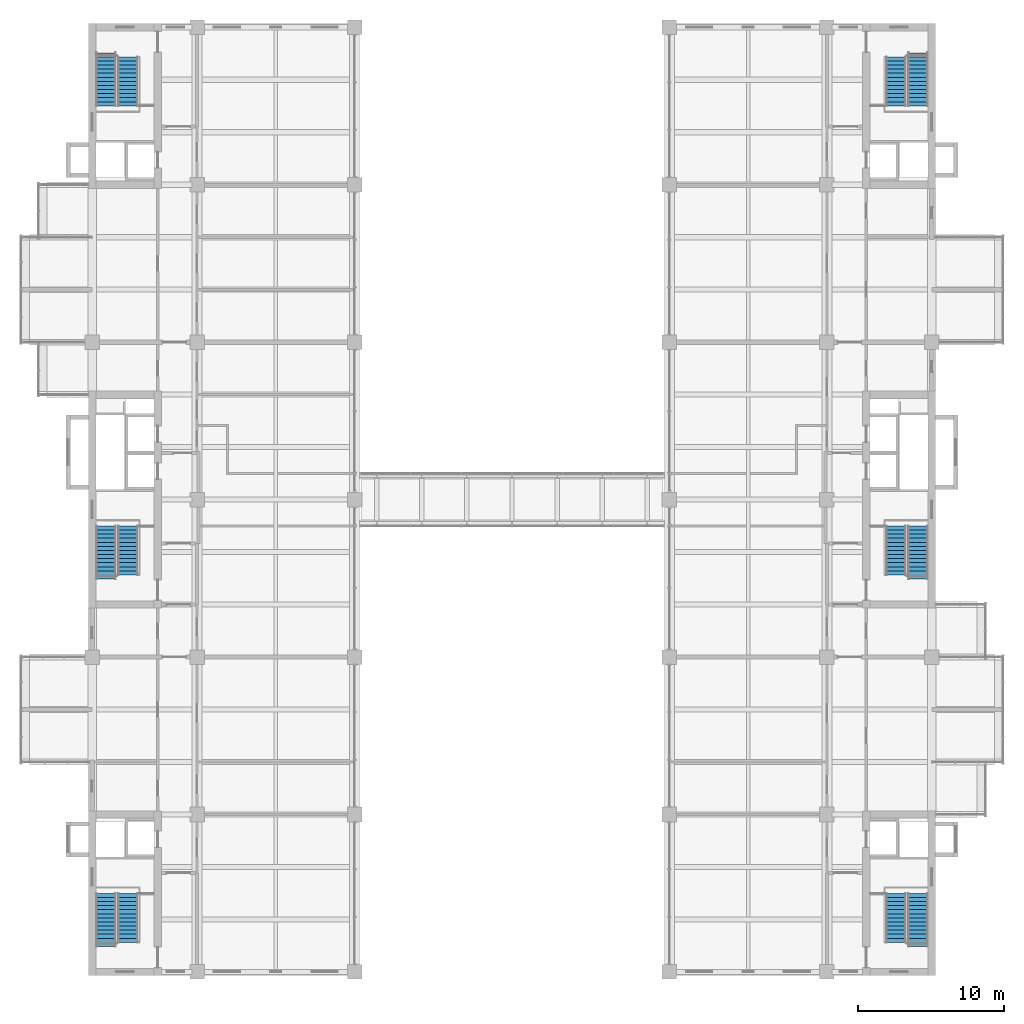
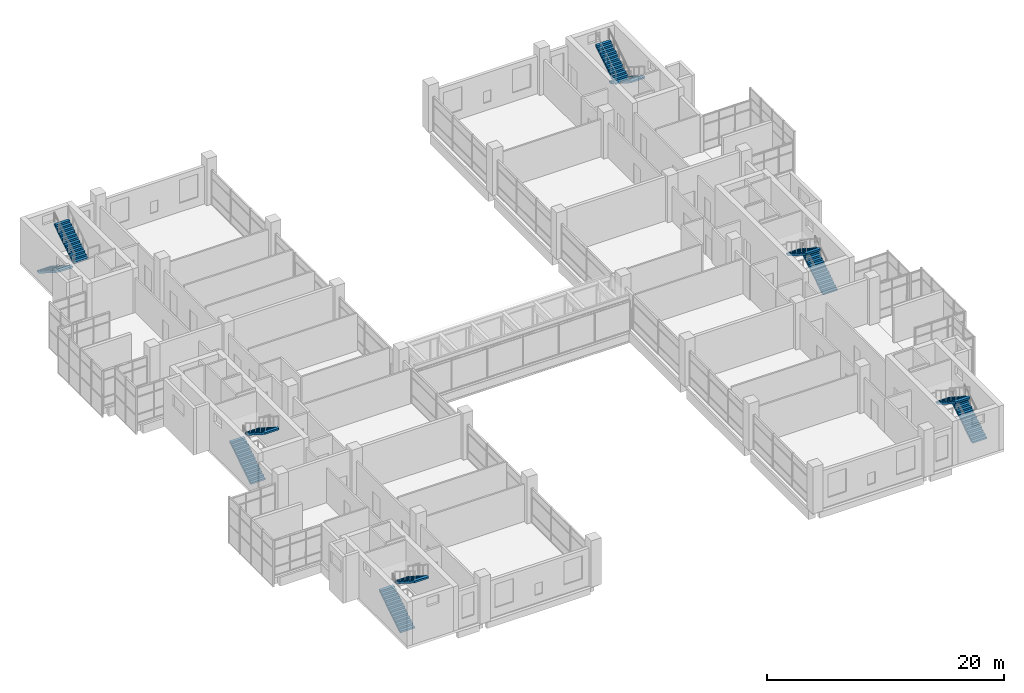
# One storey, part 33 of 35: 12 stair flights, 6 elements without a shape of their own.
"""IFC4 building model written with IfcOpenShell, lengths in metres."""

import ifcopenshell
import ifcopenshell.guid

model = None  # the IFC model being written
_history = None  # IfcOwnerHistory: only IFC2X3 demands one
_inside = {}  # id of a spatial element -> (the spatial element, [elements in it])
_under = {}  # id of a project, library or spatial element -> (it, [spatial elements below it])
_declared = {}  # id of a project -> (the project, [libraries it declares])
_typed = {}  # id of a type object -> (the type object, [elements of that type])
_made_of = {}  # id of a material, layer set ... -> (it, [elements and type objects made of it])


def new_model(schema):
    """Start an empty IFC model of exactly this schema.

    Asked for "IFC4X3", IfcOpenShell would pick the latest addendum, in which some entities
    have other attributes; the version numbers below select the first issue.
    IFC2X3 requires an IfcOwnerHistory on every rooted entity: one is made here for all.
    """
    global model, _history
    if schema == "IFC4X3":
        model = ifcopenshell.file(schema_version=(4, 3, 0, 0))
    else:
        model = ifcopenshell.file(schema=schema)
    _inside.clear()
    _under.clear()
    _declared.clear()
    _typed.clear()
    _made_of.clear()
    _history = None
    if model.schema == "IFC2X3":
        org = make("IfcOrganization", Name="unknown")
        user = make(
            "IfcPersonAndOrganization",
            ThePerson=make("IfcPerson", FamilyName="unknown"),
            TheOrganization=org,
        )
        app = make(
            "IfcApplication",
            ApplicationDeveloper=org,
            Version="unknown",
            ApplicationFullName="unknown",
            ApplicationIdentifier="unknown",
        )
        _history = make(
            "IfcOwnerHistory",
            OwningUser=user,
            OwningApplication=app,
            ChangeAction="ADDED",
            CreationDate=0,
        )
    return model


def make(cls, **values):
    """One entity of the class cls with the attributes given. An attribute that is None is left unset."""
    return model.create_entity(
        cls, **{name: value for name, value in values.items() if value is not None}
    )


def rooted(cls, **values):
    """An entity with a GlobalId (a new one), such as an element, a storey or a relation."""
    return make(cls, GlobalId=ifcopenshell.guid.new(), OwnerHistory=_history, **values)


def si_unit(unit_type, name, prefix=None):
    """IfcSIUnit, for example si_unit("LENGTHUNIT", "METRE", prefix="MILLI")."""
    return make("IfcSIUnit", UnitType=unit_type, Prefix=prefix, Name=name)


def assignment(units):
    """IfcUnitAssignment: the units of a project."""
    return None if units is None else make("IfcUnitAssignment", Units=units)


def point(xyz):
    """IfcCartesianPoint."""
    return None if xyz is None else make("IfcCartesianPoint", Coordinates=xyz)


def direction(xyz):
    """IfcDirection."""
    return None if xyz is None else make("IfcDirection", DirectionRatios=xyz)


def frame(location, z_axis=None, x_axis=None):
    """IfcAxis2Placement3D, a coordinate frame: its origin and axes. An axis left out is left unset."""
    return make(
        "IfcAxis2Placement3D",
        Location=point(location),
        Axis=direction(z_axis),
        RefDirection=direction(x_axis),
    )


def origin():
    """The frame at (0, 0, 0) with its axes left unset."""
    return frame((0.0, 0.0, 0.0))


def place(relative_to, where):
    """IfcLocalPlacement: puts the frame where relative to a parent placement (None: the world)."""
    return make(
        "IfcLocalPlacement", PlacementRelTo=relative_to, RelativePlacement=where
    )


def context(
    kind, dimensions, precision=None, world=None, true_north=None, identifier=None
):
    """IfcGeometricRepresentationContext, for example the 3D "Model" context."""
    return make(
        "IfcGeometricRepresentationContext",
        ContextIdentifier=identifier,
        ContextType=kind,
        CoordinateSpaceDimension=dimensions,
        Precision=precision,
        WorldCoordinateSystem=world,
        TrueNorth=true_north,
    )


def subcontext(parent, identifier, kind, view, scale=None):
    """IfcGeometricRepresentationSubContext, for example "Body" below "Model"."""
    return make(
        "IfcGeometricRepresentationSubContext",
        ContextIdentifier=identifier,
        ContextType=kind,
        ParentContext=parent,
        TargetScale=scale,
        TargetView=view,
    )


def project(units=None, contexts=None):
    """IfcProject with its units and contexts."""
    return rooted(
        "IfcProject",
        Name="project",
        RepresentationContexts=contexts,
        UnitsInContext=assignment(units),
    )


def spatial(cls, under=None, at=None, **own):
    """A site, building, storey or space (cls), placed at a placement, below another one or the project."""
    s = rooted(cls, ObjectPlacement=at, **own)
    if under is not None:
        _under.setdefault(under.id(), (under, []))[1].append(s)
    return s


def polyline(points):
    """IfcPolyline through the points."""
    return make("IfcPolyline", Points=[point(p) for p in points])


def outline(outer, holes=None, kind="AREA"):
    """IfcArbitraryClosedProfileDef: a profile drawn as a closed curve; with holes, ...WithVoids."""
    if holes is None:
        return make("IfcArbitraryClosedProfileDef", ProfileType=kind, OuterCurve=outer)
    return make(
        "IfcArbitraryProfileDefWithVoids",
        ProfileType=kind,
        OuterCurve=outer,
        InnerCurves=holes,
    )


def extrude(swept, where, along, depth):
    """IfcExtrudedAreaSolid: the profile swept, set in the frame where, extruded along a direction by depth."""
    return make(
        "IfcExtrudedAreaSolid",
        SweptArea=swept,
        Position=where,
        ExtrudedDirection=direction(along),
        Depth=depth,
    )


def shape(context_of_items, identifier, shape_type, items):
    """IfcShapeRepresentation: the items that make up one representation, for example the "Body"."""
    return make(
        "IfcShapeRepresentation",
        ContextOfItems=context_of_items,
        RepresentationIdentifier=identifier,
        RepresentationType=shape_type,
        Items=items,
    )


def material(Name=None, Category=None):
    """IfcMaterial."""
    return make("IfcMaterial", Name=Name, Category=Category)


def made_of(thing, what):
    """Note that an element or type object is made of a material, layer set ...; save() writes the relation."""
    if what is not None:
        _made_of.setdefault(what.id(), (what, []))[1].append(thing)
    return thing


def type_object(cls, material=None, **own):
    """A type object (cls), such as IfcWallType, which elements share."""
    return made_of(rooted(cls, **own), material)


def element(
    cls,
    number,
    at=None,
    inside=None,
    cuts=None,
    type_object=None,
    material=None,
    context=None,
    identifier="Body",
    shape_type=None,
    held_by="IfcProductDefinitionShape",
    body=None,
    shapes=None,
    **own,
):
    """One element of the class cls, such as IfcWall. Its Tag is "e" and its number.

    at: its placement. inside: the storey or other place that contains it. cuts: it is an
    opening in that element (IfcRelVoidsElement). A single representation is given by context,
    identifier, shape_type and body (its items); several are given by shapes. held_by: the class
    of the entity that holds the representations. save() writes the other relations.
    """
    e = rooted(cls, Tag="e%d" % number, ObjectPlacement=at, **own)
    if body is not None:
        shapes = [shape(context, identifier, shape_type, body)]
    if shapes is not None:
        e.Representation = make(held_by, Representations=shapes)
    if inside is not None:
        _inside.setdefault(inside.id(), (inside, []))[1].append(e)
    if cuts is not None:
        rooted(
            "IfcRelVoidsElement", RelatingBuildingElement=cuts, RelatedOpeningElement=e
        )
    if type_object is not None:
        _typed.setdefault(type_object.id(), (type_object, []))[1].append(e)
    return made_of(e, material)


def aggregate(whole, parts):
    """IfcRelAggregates: a whole, such as a stair, and the parts it consists of."""
    return rooted("IfcRelAggregates", RelatingObject=whole, RelatedObjects=parts)


def save(model, path):
    """Write the relations noted so far, then the file.

    IfcRelAggregates (storeys below a building ...), IfcRelContainedInSpatialStructure (elements
    in a storey), IfcRelDefinesByType, IfcRelAssociatesMaterial and IfcRelDeclares: one each for
    every whole, place, type object, material and project.
    """
    for whole, parts in _under.values():
        aggregate(whole, parts)
    for where, things in _inside.values():
        rooted(
            "IfcRelContainedInSpatialStructure",
            RelatedElements=things,
            RelatingStructure=where,
        )
    for kind, things in _typed.values():
        rooted("IfcRelDefinesByType", RelatedObjects=things, RelatingType=kind)
    for what, things in _made_of.values():
        rooted("IfcRelAssociatesMaterial", RelatedObjects=things, RelatingMaterial=what)
    for by, libraries in _declared.values():
        rooted("IfcRelDeclares", RelatingContext=by, RelatedDefinitions=libraries)
    model.write(path)


model = new_model("IFC4")

# Units and contexts
model_context = context("Model", 3, precision=1e-05, world=origin(), true_north=direction((0.0, 1.0)))
body_context = subcontext(model_context, "Body", "Model", "MODEL_VIEW")
ifc_project = project(units=[si_unit("LENGTHUNIT", "METRE"), si_unit("AREAUNIT", "SQUARE_METRE"), si_unit("VOLUMEUNIT", "CUBIC_METRE"), si_unit("PLANEANGLEUNIT", "RADIAN"), si_unit("MASSUNIT", "GRAM", prefix="KILO")], contexts=[model_context])

# Site, building, storey
site_placement = place(None, origin())
site = spatial("IfcSite", under=ifc_project, at=site_placement, CompositionType="ELEMENT")
building_placement = place(site_placement, origin())
building = spatial("IfcBuilding", under=site, at=building_placement, Name="Basin Gate Institute", CompositionType="ELEMENT")
storey_placement = place(building_placement, frame((0.0, 0.0, 31.800048828125)))
storey = spatial("IfcBuildingStorey", under=building, at=storey_placement, Name="L06", CompositionType="ELEMENT", Elevation=31.800048828125)

# Stair, stair flights
ifc_material_1 = material(Name="Concrete 40 MPa", Category="concrete")
stair_type = type_object("IfcStairType", Name="Stair ST", PredefinedType="HALF_TURN_STAIR", material=ifc_material_1)
stair_1_placement = place(storey_placement, origin())
stair_1 = element("IfcStair", 1, at=stair_1_placement, inside=storey, type_object=stair_type, material=ifc_material_1, Name="Special safe stair ST-WS L06", PredefinedType="HALF_TURN_STAIR")
ifc_material_2 = material(Name="Concrete 40 MPa", Category="concrete")
stair_flight_type = type_object("IfcStairFlightType", Name="Stair flight FL", PredefinedType="STRAIGHT", material=ifc_material_2)
stair_flight_1_placement = place(storey_placement, frame((62.14990234375, 36.85009765625, 0.0), z_axis=(0.0, 0.0, 1.0), x_axis=(0.0, 1.0, 0.0)))
stair_flight_1 = element("IfcStairFlight", 2, at=stair_flight_1_placement, type_object=stair_flight_type, material=ifc_material_2, Name="Stair flight ST-WS-F1 L06", NumberOfRisers=14, NumberOfTreads=13, PredefinedType="STRAIGHT", RiserHeight=0.177777778, TreadLength=0.28, context=body_context, shape_type="SweptSolid", body=[
    extrude(outline(polyline([(0.0, 0.0), (0.0, 0.177734375), (0.280029296875, 0.177734375), (0.280029296875, 0.35546875), (0.56005859375, 0.35546875), (0.56005859375, 0.533447265625), (0.840087890625, 0.533447265625), (0.840087890625, 0.711181640625), (1.1201171875, 0.711181640625), (1.1201171875, 0.888916015625), (1.39990234375, 0.888916015625), (1.39990234375, 1.066650390625), (1.679931640625, 1.066650390625), (1.679931640625, 1.244384765625), (1.9599609375, 1.244384765625), (1.9599609375, 1.422119140625), (2.239990234375, 1.422119140625), (2.239990234375, 1.60009765625), (2.52001953125, 1.60009765625), (2.52001953125, 1.77783203125), (2.800048828125, 1.77783203125), (2.800048828125, 1.95556640625), (3.080078125, 1.95556640625), (3.080078125, 2.13330078125), (3.360107421875, 2.13330078125), (3.360107421875, 2.31103515625), (3.639892578125, 2.31103515625), (3.639892578125, 2.48876953125), (3.639892578125, 2.133544921875), (0.27978515625, 0.0), (0.0, 0.0)])), frame((0.0, 0.699951171875, 0.0), z_axis=(0.0, -1.0, 0.0), x_axis=(1.0, 0.0, 0.0)), (0.0, 0.0, 1.0), 1.39990234375),
])
stair_flight_2_placement = place(storey_placement, frame((63.64990234375, 40.489990234375, 2.48876953125), z_axis=(0.0, 0.0, 1.0), x_axis=(0.0, -1.0, 0.0)))
stair_flight_2 = element("IfcStairFlight", 3, at=stair_flight_2_placement, type_object=stair_flight_type, material=ifc_material_2, Name="Stair flight ST-WS-F2 L06", NumberOfRisers=13, NumberOfTreads=12, PredefinedType="STRAIGHT", RiserHeight=0.177777778, TreadLength=0.28, context=body_context, shape_type="SweptSolid", body=[
    extrude(outline(polyline([(0.0, 0.0), (0.0, 0.177734375), (0.280029296875, 0.177734375), (0.280029296875, 0.35546875), (0.56005859375, 0.35546875), (0.56005859375, 0.533447265625), (0.840087890625, 0.533447265625), (0.840087890625, 0.711181640625), (1.1201171875, 0.711181640625), (1.1201171875, 0.888916015625), (1.39990234375, 0.888916015625), (1.39990234375, 1.066650390625), (1.679931640625, 1.066650390625), (1.679931640625, 1.244384765625), (1.9599609375, 1.244384765625), (1.9599609375, 1.422119140625), (2.239990234375, 1.422119140625), (2.239990234375, 1.60009765625), (2.52001953125, 1.60009765625), (2.52001953125, 1.77783203125), (2.800048828125, 1.77783203125), (2.800048828125, 1.95556640625), (3.080078125, 1.95556640625), (3.080078125, 2.13330078125), (3.360107421875, 2.13330078125), (3.360107421875, 2.31103515625), (3.360107421875, 1.955810546875), (0.27978515625, 0.0), (0.0, 0.0)])), frame((0.0, 0.699951171875, 0.0), z_axis=(0.0, -1.0, 0.0), x_axis=(1.0, 0.0, 0.0)), (0.0, 0.0, 1.0), 1.39990234375),
])
aggregate(stair_1, [stair_flight_1, stair_flight_2])

stair_2_placement = place(storey_placement, origin())
stair_2 = element("IfcStair", 4, at=stair_2_placement, inside=storey, type_object=stair_type, material=ifc_material_1, Name="Special safe stair ST-WM L06", PredefinedType="HALF_TURN_STAIR")
stair_flight_3_placement = place(storey_placement, frame((62.14990234375, 62.050048828125, 0.0), z_axis=(0.0, 0.0, 1.0), x_axis=(0.0, 1.0, 0.0)))
stair_flight_3 = element("IfcStairFlight", 5, at=stair_flight_3_placement, type_object=stair_flight_type, material=ifc_material_2, Name="Stair flight ST-WM-F1 L06", NumberOfRisers=14, NumberOfTreads=13, PredefinedType="STRAIGHT", RiserHeight=0.177777778, TreadLength=0.28, context=body_context, shape_type="SweptSolid", body=[
    extrude(outline(polyline([(0.0, 0.0), (0.0, 0.177734375), (0.280029296875, 0.177734375), (0.280029296875, 0.35546875), (0.56005859375, 0.35546875), (0.56005859375, 0.533447265625), (0.840087890625, 0.533447265625), (0.840087890625, 0.711181640625), (1.1201171875, 0.711181640625), (1.1201171875, 0.888916015625), (1.39990234375, 0.888916015625), (1.39990234375, 1.066650390625), (1.679931640625, 1.066650390625), (1.679931640625, 1.244384765625), (1.9599609375, 1.244384765625), (1.9599609375, 1.422119140625), (2.239990234375, 1.422119140625), (2.239990234375, 1.60009765625), (2.52001953125, 1.60009765625), (2.52001953125, 1.77783203125), (2.800048828125, 1.77783203125), (2.800048828125, 1.95556640625), (3.080078125, 1.95556640625), (3.080078125, 2.13330078125), (3.360107421875, 2.13330078125), (3.360107421875, 2.31103515625), (3.639892578125, 2.31103515625), (3.639892578125, 2.48876953125), (3.639892578125, 2.133544921875), (0.27978515625, 0.0), (0.0, 0.0)])), frame((0.0, 0.699951171875, 0.0), z_axis=(0.0, -1.0, 0.0), x_axis=(1.0, 0.0, 0.0)), (0.0, 0.0, 1.0), 1.39990234375),
])
stair_flight_4_placement = place(storey_placement, frame((63.64990234375, 65.68994140625, 2.48876953125), z_axis=(0.0, 0.0, 1.0), x_axis=(0.0, -1.0, 0.0)))
stair_flight_4 = element("IfcStairFlight", 6, at=stair_flight_4_placement, type_object=stair_flight_type, material=ifc_material_2, Name="Stair flight ST-WM-F2 L06", NumberOfRisers=13, NumberOfTreads=12, PredefinedType="STRAIGHT", RiserHeight=0.177777778, TreadLength=0.28, context=body_context, shape_type="SweptSolid", body=[
    extrude(outline(polyline([(0.0, 0.0), (0.0, 0.177734375), (0.280029296875, 0.177734375), (0.280029296875, 0.35546875), (0.56005859375, 0.35546875), (0.56005859375, 0.533447265625), (0.840087890625, 0.533447265625), (0.840087890625, 0.711181640625), (1.1201171875, 0.711181640625), (1.1201171875, 0.888916015625), (1.39990234375, 0.888916015625), (1.39990234375, 1.066650390625), (1.679931640625, 1.066650390625), (1.679931640625, 1.244384765625), (1.9599609375, 1.244384765625), (1.9599609375, 1.422119140625), (2.239990234375, 1.422119140625), (2.239990234375, 1.60009765625), (2.52001953125, 1.60009765625), (2.52001953125, 1.77783203125), (2.800048828125, 1.77783203125), (2.800048828125, 1.95556640625), (3.080078125, 1.95556640625), (3.080078125, 2.13330078125), (3.360107421875, 2.13330078125), (3.360107421875, 2.31103515625), (3.360107421875, 1.955810546875), (0.27978515625, 0.0), (0.0, 0.0)])), frame((0.0, 0.699951171875, 0.0), z_axis=(0.0, -1.0, 0.0), x_axis=(1.0, 0.0, 0.0)), (0.0, 0.0, 1.0), 1.39990234375),
])
aggregate(stair_2, [stair_flight_3, stair_flight_4])

stair_3_placement = place(storey_placement, origin())
stair_3 = element("IfcStair", 7, at=stair_3_placement, inside=storey, type_object=stair_type, material=ifc_material_1, Name="Special safe stair ST-WN L06", PredefinedType="HALF_TURN_STAIR")
stair_flight_5_placement = place(storey_placement, frame((62.14990234375, 98.14990234375, 0.0), z_axis=(0.0, 0.0, 1.0), x_axis=(0.0, -1.0, 0.0)))
stair_flight_5 = element("IfcStairFlight", 8, at=stair_flight_5_placement, type_object=stair_flight_type, material=ifc_material_2, Name="Stair flight ST-WN-F1 L06", NumberOfRisers=14, NumberOfTreads=13, PredefinedType="STRAIGHT", RiserHeight=0.177777778, TreadLength=0.28, context=body_context, shape_type="SweptSolid", body=[
    extrude(outline(polyline([(0.0, 0.0), (0.0, 0.177734375), (0.280029296875, 0.177734375), (0.280029296875, 0.35546875), (0.56005859375, 0.35546875), (0.56005859375, 0.533447265625), (0.840087890625, 0.533447265625), (0.840087890625, 0.711181640625), (1.1201171875, 0.711181640625), (1.1201171875, 0.888916015625), (1.39990234375, 0.888916015625), (1.39990234375, 1.066650390625), (1.679931640625, 1.066650390625), (1.679931640625, 1.244384765625), (1.9599609375, 1.244384765625), (1.9599609375, 1.422119140625), (2.239990234375, 1.422119140625), (2.239990234375, 1.60009765625), (2.52001953125, 1.60009765625), (2.52001953125, 1.77783203125), (2.800048828125, 1.77783203125), (2.800048828125, 1.95556640625), (3.080078125, 1.95556640625), (3.080078125, 2.13330078125), (3.360107421875, 2.13330078125), (3.360107421875, 2.31103515625), (3.639892578125, 2.31103515625), (3.639892578125, 2.48876953125), (3.639892578125, 2.133544921875), (0.27978515625, 0.0), (0.0, 0.0)])), frame((0.0, 0.699951171875, 0.0), z_axis=(0.0, -1.0, 0.0), x_axis=(1.0, 0.0, 0.0)), (0.0, 0.0, 1.0), 1.39990234375),
])
stair_flight_6_placement = place(storey_placement, frame((63.64990234375, 94.510009765625, 2.48876953125), z_axis=(0.0, 0.0, 1.0), x_axis=(0.0, 1.0, 0.0)))
stair_flight_6 = element("IfcStairFlight", 9, at=stair_flight_6_placement, type_object=stair_flight_type, material=ifc_material_2, Name="Stair flight ST-WN-F2 L06", NumberOfRisers=13, NumberOfTreads=12, PredefinedType="STRAIGHT", RiserHeight=0.177777778, TreadLength=0.28, context=body_context, shape_type="SweptSolid", body=[
    extrude(outline(polyline([(0.0, 0.0), (0.0, 0.177734375), (0.280029296875, 0.177734375), (0.280029296875, 0.35546875), (0.56005859375, 0.35546875), (0.56005859375, 0.533447265625), (0.840087890625, 0.533447265625), (0.840087890625, 0.711181640625), (1.1201171875, 0.711181640625), (1.1201171875, 0.888916015625), (1.39990234375, 0.888916015625), (1.39990234375, 1.066650390625), (1.679931640625, 1.066650390625), (1.679931640625, 1.244384765625), (1.9599609375, 1.244384765625), (1.9599609375, 1.422119140625), (2.239990234375, 1.422119140625), (2.239990234375, 1.60009765625), (2.52001953125, 1.60009765625), (2.52001953125, 1.77783203125), (2.800048828125, 1.77783203125), (2.800048828125, 1.95556640625), (3.080078125, 1.95556640625), (3.080078125, 2.13330078125), (3.360107421875, 2.13330078125), (3.360107421875, 2.31103515625), (3.360107421875, 1.955810546875), (0.27978515625, 0.0), (0.0, 0.0)])), frame((0.0, 0.699951171875, 0.0), z_axis=(0.0, -1.0, 0.0), x_axis=(1.0, 0.0, 0.0)), (0.0, 0.0, 1.0), 1.39990234375),
])
aggregate(stair_3, [stair_flight_5, stair_flight_6])

stair_4_placement = place(storey_placement, origin())
stair_4 = element("IfcStair", 10, at=stair_4_placement, inside=storey, type_object=stair_type, material=ifc_material_1, Name="Special safe stair ST-ES L06", PredefinedType="HALF_TURN_STAIR")
stair_flight_7_placement = place(storey_placement, frame((117.85009765625, 36.85009765625, 0.0), z_axis=(0.0, 0.0, 1.0), x_axis=(0.0, 1.0, 0.0)))
stair_flight_7 = element("IfcStairFlight", 11, at=stair_flight_7_placement, type_object=stair_flight_type, material=ifc_material_2, Name="Stair flight ST-ES-F1 L06", NumberOfRisers=14, NumberOfTreads=13, PredefinedType="STRAIGHT", RiserHeight=0.177777778, TreadLength=0.28, context=body_context, shape_type="SweptSolid", body=[
    extrude(outline(polyline([(0.0, 0.0), (0.0, 0.177734375), (0.280029296875, 0.177734375), (0.280029296875, 0.35546875), (0.56005859375, 0.35546875), (0.56005859375, 0.533447265625), (0.840087890625, 0.533447265625), (0.840087890625, 0.711181640625), (1.1201171875, 0.711181640625), (1.1201171875, 0.888916015625), (1.39990234375, 0.888916015625), (1.39990234375, 1.066650390625), (1.679931640625, 1.066650390625), (1.679931640625, 1.244384765625), (1.9599609375, 1.244384765625), (1.9599609375, 1.422119140625), (2.239990234375, 1.422119140625), (2.239990234375, 1.60009765625), (2.52001953125, 1.60009765625), (2.52001953125, 1.77783203125), (2.800048828125, 1.77783203125), (2.800048828125, 1.95556640625), (3.080078125, 1.95556640625), (3.080078125, 2.13330078125), (3.360107421875, 2.13330078125), (3.360107421875, 2.31103515625), (3.639892578125, 2.31103515625), (3.639892578125, 2.48876953125), (3.639892578125, 2.133544921875), (0.27978515625, 0.0), (0.0, 0.0)])), frame((0.0, 0.699951171875, 0.0), z_axis=(0.0, -1.0, 0.0), x_axis=(1.0, 0.0, 0.0)), (0.0, 0.0, 1.0), 1.39990234375),
])
stair_flight_8_placement = place(storey_placement, frame((116.35009765625, 40.489990234375, 2.48876953125), z_axis=(0.0, 0.0, 1.0), x_axis=(0.0, -1.0, 0.0)))
stair_flight_8 = element("IfcStairFlight", 12, at=stair_flight_8_placement, type_object=stair_flight_type, material=ifc_material_2, Name="Stair flight ST-ES-F2 L06", NumberOfRisers=13, NumberOfTreads=12, PredefinedType="STRAIGHT", RiserHeight=0.177777778, TreadLength=0.28, context=body_context, shape_type="SweptSolid", body=[
    extrude(outline(polyline([(0.0, 0.0), (0.0, 0.177734375), (0.280029296875, 0.177734375), (0.280029296875, 0.35546875), (0.56005859375, 0.35546875), (0.56005859375, 0.533447265625), (0.840087890625, 0.533447265625), (0.840087890625, 0.711181640625), (1.1201171875, 0.711181640625), (1.1201171875, 0.888916015625), (1.39990234375, 0.888916015625), (1.39990234375, 1.066650390625), (1.679931640625, 1.066650390625), (1.679931640625, 1.244384765625), (1.9599609375, 1.244384765625), (1.9599609375, 1.422119140625), (2.239990234375, 1.422119140625), (2.239990234375, 1.60009765625), (2.52001953125, 1.60009765625), (2.52001953125, 1.77783203125), (2.800048828125, 1.77783203125), (2.800048828125, 1.95556640625), (3.080078125, 1.95556640625), (3.080078125, 2.13330078125), (3.360107421875, 2.13330078125), (3.360107421875, 2.31103515625), (3.360107421875, 1.955810546875), (0.27978515625, 0.0), (0.0, 0.0)])), frame((0.0, 0.699951171875, 0.0), z_axis=(0.0, -1.0, 0.0), x_axis=(1.0, 0.0, 0.0)), (0.0, 0.0, 1.0), 1.39990234375),
])
aggregate(stair_4, [stair_flight_7, stair_flight_8])

stair_5_placement = place(storey_placement, origin())
stair_5 = element("IfcStair", 13, at=stair_5_placement, inside=storey, type_object=stair_type, material=ifc_material_1, Name="Special safe stair ST-EM L06", PredefinedType="HALF_TURN_STAIR")
stair_flight_9_placement = place(storey_placement, frame((117.85009765625, 62.050048828125, 0.0), z_axis=(0.0, 0.0, 1.0), x_axis=(0.0, 1.0, 0.0)))
stair_flight_9 = element("IfcStairFlight", 14, at=stair_flight_9_placement, type_object=stair_flight_type, material=ifc_material_2, Name="Stair flight ST-EM-F1 L06", NumberOfRisers=14, NumberOfTreads=13, PredefinedType="STRAIGHT", RiserHeight=0.177777778, TreadLength=0.28, context=body_context, shape_type="SweptSolid", body=[
    extrude(outline(polyline([(0.0, 0.0), (0.0, 0.177734375), (0.280029296875, 0.177734375), (0.280029296875, 0.35546875), (0.56005859375, 0.35546875), (0.56005859375, 0.533447265625), (0.840087890625, 0.533447265625), (0.840087890625, 0.711181640625), (1.1201171875, 0.711181640625), (1.1201171875, 0.888916015625), (1.39990234375, 0.888916015625), (1.39990234375, 1.066650390625), (1.679931640625, 1.066650390625), (1.679931640625, 1.244384765625), (1.9599609375, 1.244384765625), (1.9599609375, 1.422119140625), (2.239990234375, 1.422119140625), (2.239990234375, 1.60009765625), (2.52001953125, 1.60009765625), (2.52001953125, 1.77783203125), (2.800048828125, 1.77783203125), (2.800048828125, 1.95556640625), (3.080078125, 1.95556640625), (3.080078125, 2.13330078125), (3.360107421875, 2.13330078125), (3.360107421875, 2.31103515625), (3.639892578125, 2.31103515625), (3.639892578125, 2.48876953125), (3.639892578125, 2.133544921875), (0.27978515625, 0.0), (0.0, 0.0)])), frame((0.0, 0.699951171875, 0.0), z_axis=(0.0, -1.0, 0.0), x_axis=(1.0, 0.0, 0.0)), (0.0, 0.0, 1.0), 1.39990234375),
])
stair_flight_10_placement = place(storey_placement, frame((116.35009765625, 65.68994140625, 2.48876953125), z_axis=(0.0, 0.0, 1.0), x_axis=(0.0, -1.0, 0.0)))
stair_flight_10 = element("IfcStairFlight", 15, at=stair_flight_10_placement, type_object=stair_flight_type, material=ifc_material_2, Name="Stair flight ST-EM-F2 L06", NumberOfRisers=13, NumberOfTreads=12, PredefinedType="STRAIGHT", RiserHeight=0.177777778, TreadLength=0.28, context=body_context, shape_type="SweptSolid", body=[
    extrude(outline(polyline([(0.0, 0.0), (0.0, 0.177734375), (0.280029296875, 0.177734375), (0.280029296875, 0.35546875), (0.56005859375, 0.35546875), (0.56005859375, 0.533447265625), (0.840087890625, 0.533447265625), (0.840087890625, 0.711181640625), (1.1201171875, 0.711181640625), (1.1201171875, 0.888916015625), (1.39990234375, 0.888916015625), (1.39990234375, 1.066650390625), (1.679931640625, 1.066650390625), (1.679931640625, 1.244384765625), (1.9599609375, 1.244384765625), (1.9599609375, 1.422119140625), (2.239990234375, 1.422119140625), (2.239990234375, 1.60009765625), (2.52001953125, 1.60009765625), (2.52001953125, 1.77783203125), (2.800048828125, 1.77783203125), (2.800048828125, 1.95556640625), (3.080078125, 1.95556640625), (3.080078125, 2.13330078125), (3.360107421875, 2.13330078125), (3.360107421875, 2.31103515625), (3.360107421875, 1.955810546875), (0.27978515625, 0.0), (0.0, 0.0)])), frame((0.0, 0.699951171875, 0.0), z_axis=(0.0, -1.0, 0.0), x_axis=(1.0, 0.0, 0.0)), (0.0, 0.0, 1.0), 1.39990234375),
])
aggregate(stair_5, [stair_flight_9, stair_flight_10])

stair_6_placement = place(storey_placement, origin())
stair_6 = element("IfcStair", 16, at=stair_6_placement, inside=storey, type_object=stair_type, material=ifc_material_1, Name="Special safe stair ST-EN L06", PredefinedType="HALF_TURN_STAIR")
stair_flight_11_placement = place(storey_placement, frame((117.85009765625, 98.14990234375, 0.0), z_axis=(0.0, 0.0, 1.0), x_axis=(0.0, -1.0, 0.0)))
stair_flight_11 = element("IfcStairFlight", 17, at=stair_flight_11_placement, type_object=stair_flight_type, material=ifc_material_2, Name="Stair flight ST-EN-F1 L06", NumberOfRisers=14, NumberOfTreads=13, PredefinedType="STRAIGHT", RiserHeight=0.177777778, TreadLength=0.28, context=body_context, shape_type="SweptSolid", body=[
    extrude(outline(polyline([(0.0, 0.0), (0.0, 0.177734375), (0.280029296875, 0.177734375), (0.280029296875, 0.35546875), (0.56005859375, 0.35546875), (0.56005859375, 0.533447265625), (0.840087890625, 0.533447265625), (0.840087890625, 0.711181640625), (1.1201171875, 0.711181640625), (1.1201171875, 0.888916015625), (1.39990234375, 0.888916015625), (1.39990234375, 1.066650390625), (1.679931640625, 1.066650390625), (1.679931640625, 1.244384765625), (1.9599609375, 1.244384765625), (1.9599609375, 1.422119140625), (2.239990234375, 1.422119140625), (2.239990234375, 1.60009765625), (2.52001953125, 1.60009765625), (2.52001953125, 1.77783203125), (2.800048828125, 1.77783203125), (2.800048828125, 1.95556640625), (3.080078125, 1.95556640625), (3.080078125, 2.13330078125), (3.360107421875, 2.13330078125), (3.360107421875, 2.31103515625), (3.639892578125, 2.31103515625), (3.639892578125, 2.48876953125), (3.639892578125, 2.133544921875), (0.27978515625, 0.0), (0.0, 0.0)])), frame((0.0, 0.699951171875, 0.0), z_axis=(0.0, -1.0, 0.0), x_axis=(1.0, 0.0, 0.0)), (0.0, 0.0, 1.0), 1.39990234375),
])
stair_flight_12_placement = place(storey_placement, frame((116.35009765625, 94.510009765625, 2.48876953125), z_axis=(0.0, 0.0, 1.0), x_axis=(0.0, 1.0, 0.0)))
stair_flight_12 = element("IfcStairFlight", 18, at=stair_flight_12_placement, type_object=stair_flight_type, material=ifc_material_2, Name="Stair flight ST-EN-F2 L06", NumberOfRisers=13, NumberOfTreads=12, PredefinedType="STRAIGHT", RiserHeight=0.177777778, TreadLength=0.28, context=body_context, shape_type="SweptSolid", body=[
    extrude(outline(polyline([(0.0, 0.0), (0.0, 0.177734375), (0.280029296875, 0.177734375), (0.280029296875, 0.35546875), (0.56005859375, 0.35546875), (0.56005859375, 0.533447265625), (0.840087890625, 0.533447265625), (0.840087890625, 0.711181640625), (1.1201171875, 0.711181640625), (1.1201171875, 0.888916015625), (1.39990234375, 0.888916015625), (1.39990234375, 1.066650390625), (1.679931640625, 1.066650390625), (1.679931640625, 1.244384765625), (1.9599609375, 1.244384765625), (1.9599609375, 1.422119140625), (2.239990234375, 1.422119140625), (2.239990234375, 1.60009765625), (2.52001953125, 1.60009765625), (2.52001953125, 1.77783203125), (2.800048828125, 1.77783203125), (2.800048828125, 1.95556640625), (3.080078125, 1.95556640625), (3.080078125, 2.13330078125), (3.360107421875, 2.13330078125), (3.360107421875, 2.31103515625), (3.360107421875, 1.955810546875), (0.27978515625, 0.0), (0.0, 0.0)])), frame((0.0, 0.699951171875, 0.0), z_axis=(0.0, -1.0, 0.0), x_axis=(1.0, 0.0, 0.0)), (0.0, 0.0, 1.0), 1.39990234375),
])
aggregate(stair_6, [stair_flight_11, stair_flight_12])

save(model, "model.ifc")
